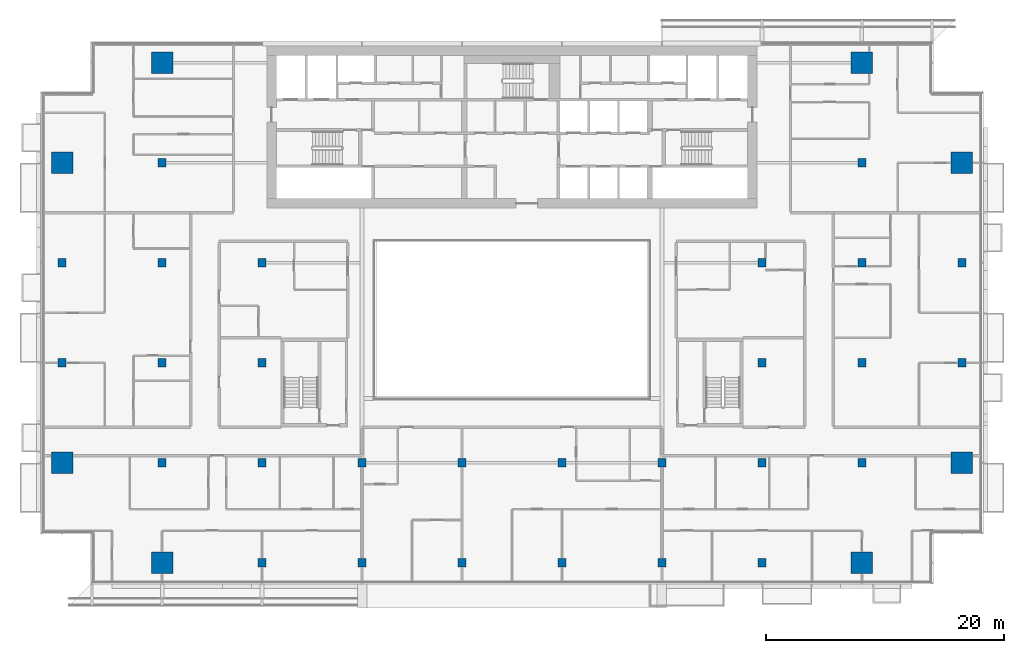
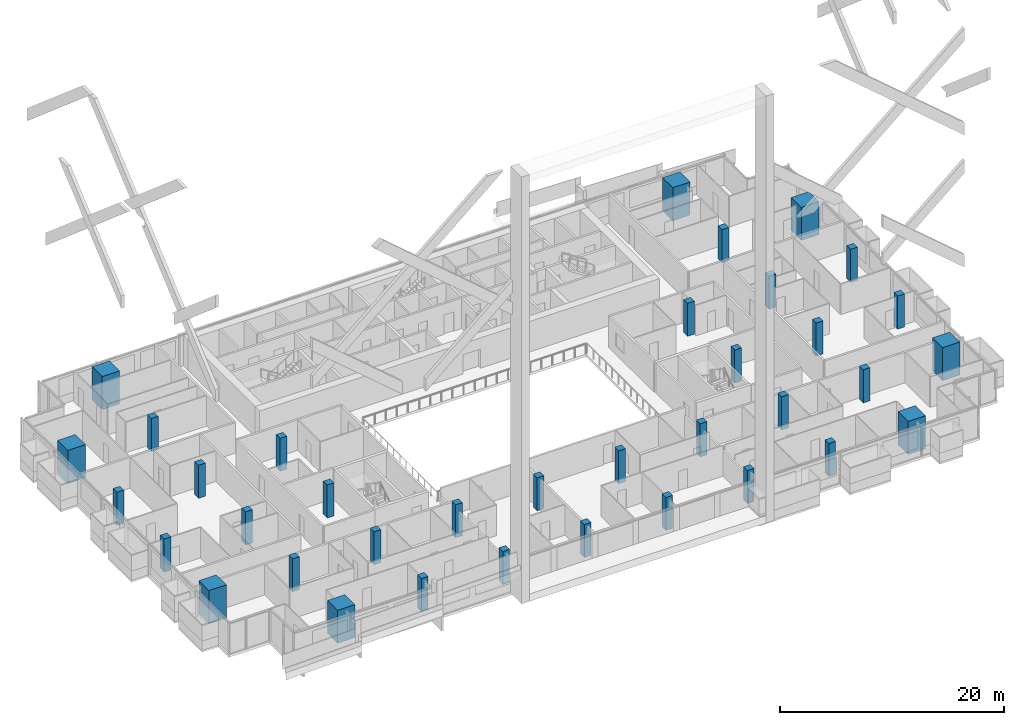
# One storey, part 1 of 31: 36 columns.
"""IFC4 building model written with IfcOpenShell, lengths in metres."""

from ifc_helpers import new_model, si_unit, direction, frame, origin, origin_2d, place, context, subcontext, project, spatial, rectangle, extrude, material, material_profile, profile_set, type_object, element, save


model = new_model("IFC4")

# Units and contexts
model_context = context("Model", 3, precision=1e-05, world=origin(), true_north=direction((0.0, 1.0)))
body_context = subcontext(model_context, "Body", "Model", "MODEL_VIEW")
ifc_project = project(units=[si_unit("LENGTHUNIT", "METRE"), si_unit("AREAUNIT", "SQUARE_METRE"), si_unit("VOLUMEUNIT", "CUBIC_METRE"), si_unit("PLANEANGLEUNIT", "RADIAN"), si_unit("MASSUNIT", "GRAM", prefix="KILO")], contexts=[model_context])

# Site, building, storey
site_placement = place(None, origin())
site = spatial("IfcSite", under=ifc_project, at=site_placement, CompositionType="ELEMENT")
building_placement = place(site_placement, origin())
building = spatial("IfcBuilding", under=site, at=building_placement, Name="Saffron Gate Tower", CompositionType="ELEMENT")
storey_placement = place(building_placement, frame((0.0, 0.0, 147.449951171875)))
storey = spatial("IfcBuildingStorey", under=building, at=storey_placement, Name="L35", CompositionType="ELEMENT", Elevation=147.449951171875)

# Columns
ifc_material_1 = material(Name="Concrete C50", Category="concrete")
ifc_material_profile_1 = material_profile(ifc_material_1, rectangle(XDim=0.699951171875, YDim=0.699951171875, at=origin_2d()))
ifc_profile_set_1 = profile_set([ifc_material_profile_1], Name="Concrete C50")
column_type_1 = type_object("IfcColumnType", Name="C3 RC 700x700 CONCRETE C50", PredefinedType="COLUMN", material=ifc_profile_set_1)
for number, where, z_axis, x_axis, name in (
    (1, (49.800048828125, 48.60009765625, 0.0), (0.0, 0.0, 1.0), (1.0, 0.0, 0.0), "C3 COLUMN X1-C"),
    (2, (49.800048828125, 57.0, 0.0), (0.0, 0.0, 1.0), (1.0, 0.0, 0.0), "C3 COLUMN X1-D"),
    (3, (58.199951171875, 40.199951171875, 0.0), (0.0, 0.0, 1.0), (1.0, 0.0, 0.0), "C3 COLUMN X2-B"),
    (4, (58.199951171875, 48.60009765625, 0.0), (0.0, 0.0, 1.0), (1.0, 0.0, 0.0), "C3 COLUMN X2-C"),
    (5, (58.199951171875, 57.0, 0.0), (0.0, 0.0, 1.0), (1.0, 0.0, 0.0), "C3 COLUMN X2-D"),
    (6, (58.199951171875, 65.39990234375, 0.0), (0.0, 0.0, 1.0), (1.0, 0.0, 0.0), "C3 COLUMN X2-E"),
    (7, (66.60009765625, 31.800048828125, 0.0), (0.0, 0.0, 1.0), (1.0, 0.0, 0.0), "C3 COLUMN X3-A"),
    (8, (66.60009765625, 40.199951171875, 0.0), (0.0, 0.0, 1.0), (1.0, 0.0, 0.0), "C3 COLUMN X3-B"),
    (9, (66.60009765625, 48.60009765625, 0.0), (0.0, 0.0, 1.0), (1.0, 0.0, 0.0), "C3 COLUMN X3-C"),
    (10, (66.60009765625, 57.0, 0.0), (0.0, 0.0, 1.0), (1.0, 0.0, 0.0), "C3 COLUMN X3-D"),
    (11, (75.0, 31.800048828125, 0.0), (0.0, 0.0, 1.0), (1.0, 0.0, 0.0), "C3 COLUMN X4-A"),
    (12, (75.0, 40.199951171875, 0.0), (0.0, 0.0, 1.0), (1.0, 0.0, 0.0), "C3 COLUMN X4-B"),
    (13, (83.39990234375, 31.800048828125, 0.0), (0.0, 0.0, 1.0), (1.0, 0.0, 0.0), "C3 COLUMN X5-A"),
    (14, (83.39990234375, 40.199951171875, 0.0), (0.0, 0.0, 1.0), (1.0, 0.0, 0.0), "C3 COLUMN X5-B"),
    (15, (91.800048828125, 31.800048828125, 0.0), (0.0, 0.0, 1.0), (1.0, 0.0, 0.0), "C3 COLUMN X6-A"),
    (16, (91.800048828125, 40.199951171875, 0.0), (0.0, 0.0, 1.0), (1.0, 0.0, 0.0), "C3 COLUMN X6-B"),
    (17, (100.199951171875, 31.800048828125, 0.0), (0.0, 0.0, 1.0), (1.0, 0.0, 0.0), "C3 COLUMN X7-A"),
    (18, (100.199951171875, 40.199951171875, 0.0), (0.0, 0.0, 1.0), (1.0, 0.0, 0.0), "C3 COLUMN X7-B"),
    (19, (108.60009765625, 31.800048828125, 0.0), (0.0, 0.0, 1.0), (1.0, 0.0, 0.0), "C3 COLUMN X8-A"),
    (20, (108.60009765625, 40.199951171875, 0.0), (0.0, 0.0, 1.0), (1.0, 0.0, 0.0), "C3 COLUMN X8-B"),
    (21, (108.60009765625, 48.60009765625, 0.0), (0.0, 0.0, 1.0), (1.0, 0.0, 0.0), "C3 COLUMN X8-C"),
    (22, (108.60009765625, 57.0, 0.0), (0.0, 0.0, 1.0), (1.0, 0.0, 0.0), "C3 COLUMN X8-D"),
    (23, (117.0, 40.199951171875, 0.0), (0.0, 0.0, 1.0), (1.0, 0.0, 0.0), "C3 COLUMN X9-B"),
    (24, (117.0, 48.60009765625, 0.0), (0.0, 0.0, 1.0), (1.0, 0.0, 0.0), "C3 COLUMN X9-C"),
    (25, (117.0, 57.0, 0.0), (0.0, 0.0, 1.0), (1.0, 0.0, 0.0), "C3 COLUMN X9-D"),
    (26, (117.0, 65.39990234375, 0.0), (0.0, 0.0, 1.0), (1.0, 0.0, 0.0), "C3 COLUMN X9-E"),
    (27, (125.39990234375, 48.60009765625, 0.0), (0.0, 0.0, 1.0), (1.0, 0.0, 0.0), "C3 COLUMN X10-C"),
    (28, (125.39990234375, 57.0, 0.0), (0.0, 0.0, 1.0), (1.0, 0.0, 0.0), "C3 COLUMN X10-D"),
):
    element("IfcColumn", number, at=place(storey_placement, frame(where, z_axis=z_axis, x_axis=x_axis)), inside=storey, type_object=column_type_1, Name=name, PredefinedType="COLUMN", context=body_context, shape_type="SweptSolid", body=[
        extrude(rectangle(XDim=0.699951171875, YDim=0.699951171875, at=origin_2d()), origin(), (0.0, 0.0, 1.0), 3.60009765625),
    ])
ifc_material_2 = material(Name="Concrete C70", Category="concrete")
ifc_material_profile_2 = material_profile(ifc_material_2, rectangle(XDim=1.800048828125, YDim=1.800048828125, at=origin_2d()))
ifc_profile_set_2 = profile_set([ifc_material_profile_2], Name="Concrete C70")
column_type_2 = type_object("IfcColumnType", Name="MC2 RC 1800x1800 CONCRETE C70", PredefinedType="COLUMN", material=ifc_profile_set_2)
for number, where, z_axis, x_axis, name in (
    (29, (49.800048828125, 40.199951171875, 0.0), (0.0, 0.0, 1.0), (1.0, 0.0, 0.0), "MC2 MEGA COLUMN X1-B"),
    (30, (49.800048828125, 65.39990234375, 0.0), (0.0, 0.0, 1.0), (1.0, 0.0, 0.0), "MC2 MEGA COLUMN X1-E"),
    (31, (58.199951171875, 31.800048828125, 0.0), (0.0, 0.0, 1.0), (1.0, 0.0, 0.0), "MC2 MEGA COLUMN X2-A"),
    (32, (58.199951171875, 73.800048828125, 0.0), (0.0, 0.0, 1.0), (1.0, 0.0, 0.0), "MC2 MEGA COLUMN X2-F"),
    (33, (117.0, 31.800048828125, 0.0), (0.0, 0.0, 1.0), (1.0, 0.0, 0.0), "MC2 MEGA COLUMN X9-A"),
    (34, (117.0, 73.800048828125, 0.0), (0.0, 0.0, 1.0), (1.0, 0.0, 0.0), "MC2 MEGA COLUMN X9-F"),
    (35, (125.39990234375, 40.199951171875, 0.0), (0.0, 0.0, 1.0), (1.0, 0.0, 0.0), "MC2 MEGA COLUMN X10-B"),
    (36, (125.39990234375, 65.39990234375, 0.0), (0.0, 0.0, 1.0), (1.0, 0.0, 0.0), "MC2 MEGA COLUMN X10-E"),
):
    element("IfcColumn", number, at=place(storey_placement, frame(where, z_axis=z_axis, x_axis=x_axis)), inside=storey, type_object=column_type_2, Name=name, PredefinedType="COLUMN", context=body_context, shape_type="SweptSolid", body=[
        extrude(rectangle(XDim=1.800048828125, YDim=1.800048828125, at=origin_2d()), origin(), (0.0, 0.0, 1.0), 3.60009765625),
    ])

save(model, "model.ifc")
